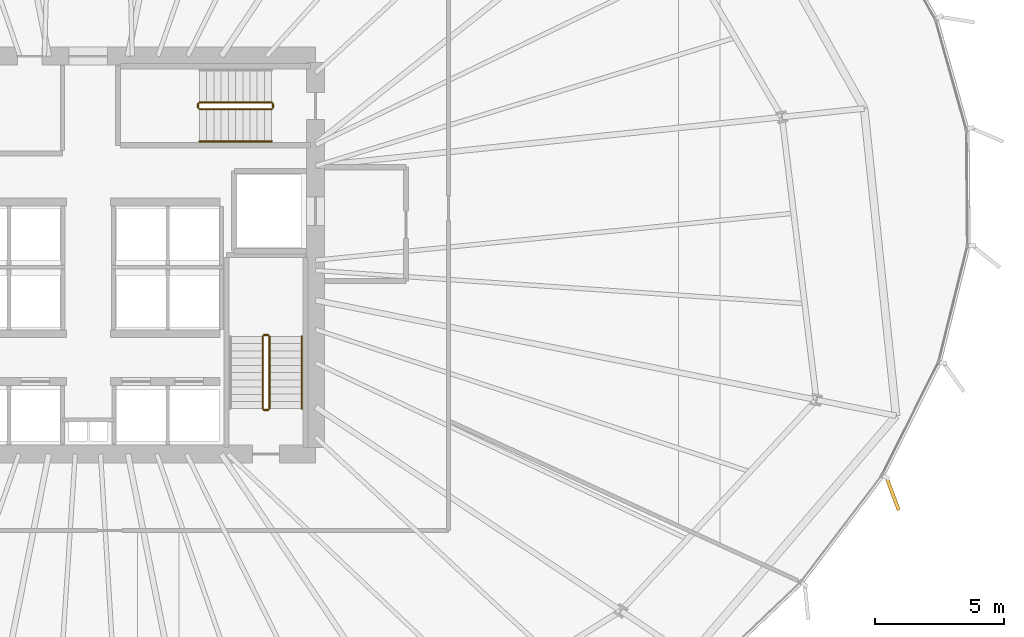
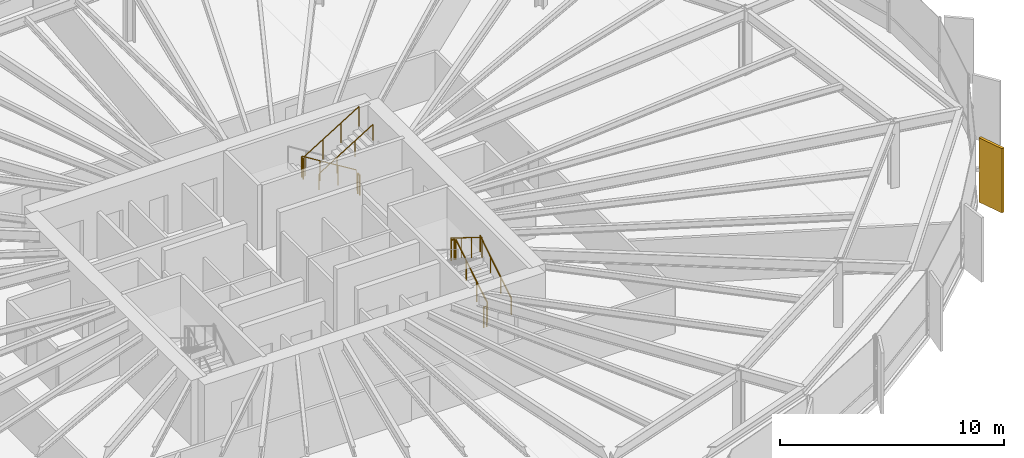
# One storey, part 37 of 38: 10 railings, 1 covering.
"""IFC4 building model written with IfcOpenShell, lengths in metres."""

from ifc_helpers import new_model, si_unit, direction, frame, origin, origin_2d, place, context, subcontext, project, spatial, rectangle, circle, extrude, source, transform, mapped, material, layer, layer_set, type_object, element, save


model = new_model("IFC4")

# Units and contexts
model_context = context("Model", 3, precision=1e-05, world=origin(), true_north=direction((0.0, 1.0)))
body_context = subcontext(model_context, "Body", "Model", "MODEL_VIEW")
ifc_project = project(units=[si_unit("LENGTHUNIT", "METRE"), si_unit("AREAUNIT", "SQUARE_METRE"), si_unit("VOLUMEUNIT", "CUBIC_METRE"), si_unit("PLANEANGLEUNIT", "RADIAN"), si_unit("MASSUNIT", "GRAM", prefix="KILO"), si_unit("THERMODYNAMICTEMPERATUREUNIT", "KELVIN")], contexts=[model_context])

# Site, building, storey
site_placement = place(None, origin())
site = spatial("IfcSite", under=ifc_project, at=site_placement, CompositionType="ELEMENT")
building_placement = place(site_placement, origin())
building = spatial("IfcBuilding", under=site, at=building_placement, Name="Kethvar Cultural Tower", CompositionType="ELEMENT")
storey_placement = place(building_placement, frame((0.0, 0.0, 63.800048828125)))
storey = spatial("IfcBuildingStorey", under=building, at=storey_placement, Name="L15", CompositionType="ELEMENT", Elevation=63.800048828125)

# Railings
ifc_material_1 = material(Name="Steel S355J2", Category="steel")
railing_type_1 = type_object("IfcRailingType", Name="RL-STAIR-GUARD", PredefinedType="BALUSTRADE", material=ifc_material_1)
railing_1_placement = place(storey_placement, frame((53.81005859375, 21.85009765625, 0.172607421875)))
element("IfcRailing", 1, at=railing_1_placement, inside=storey, type_object=railing_type_1, Name="L15 ST-02 stair guard 1", PredefinedType="BALUSTRADE", context=body_context, shape_type="SweptSolid", body=[
    extrude(circle(Radius=0.02392578125, at=origin_2d()), frame((0.0, 0.0, 1.09619140625), z_axis=(0.0, 0.851069175582, 0.525053576669), x_axis=(-1.0, 0.0, 0.0)), (0.0, 0.0, 1.0), 3.289794921875),
    extrude(circle(Radius=0.02099609375, at=origin_2d()), origin(), (0.0, 0.0, 1.0), 1.072021484375),
    extrude(circle(Radius=0.02099609375, at=origin_2d()), frame((0.0, 0.933349609375, 0.57568359375)), (0.0, 0.0, 1.0), 1.072021484375),
    extrude(circle(Radius=0.02099609375, at=origin_2d()), frame((0.0, 1.866455078125, 1.151611328125)), (0.0, 0.0, 1.0), 1.072021484375),
    extrude(circle(Radius=0.02099609375, at=origin_2d()), frame((0.0, 2.7998046875, 1.727294921875)), (0.0, 0.0, 1.0), 1.072021484375),
])
railing_2_placement = place(storey_placement, frame((53.760009765625, 24.699951171875, 1.89990234375)))
element("IfcRailing", 2, at=railing_2_placement, inside=storey, type_object=railing_type_1, Name="L15 ST-02 stair guard 2", PredefinedType="BALUSTRADE", context=body_context, shape_type="SweptSolid", body=[
    extrude(circle(Radius=0.02392578125, at=origin_2d()), frame((0.0, 0.0, 1.09619140625), z_axis=(-1.0, 0.0, 0.0), x_axis=(0.0, -1.0, 0.0)), (0.0, 0.0, 1.0), 0.159912109375),
    extrude(circle(Radius=0.02099609375, at=origin_2d()), origin(), (0.0, 0.0, 1.0), 1.072021484375),
    extrude(circle(Radius=0.02099609375, at=origin_2d()), frame((-0.159912109375, 0.0, 0.0)), (0.0, 0.0, 1.0), 1.072021484375),
])
railing_3_placement = place(storey_placement, frame((53.550048828125, 24.64990234375, 2.07275390625)))
element("IfcRailing", 3, at=railing_3_placement, inside=storey, type_object=railing_type_1, Name="L15 ST-02 stair guard 3", PredefinedType="BALUSTRADE", context=body_context, shape_type="SweptSolid", body=[
    extrude(circle(Radius=0.02392578125, at=origin_2d()), frame((0.0, 0.0, 1.09619140625), z_axis=(0.0, -0.851069175582, 0.525053576669), x_axis=(1.0, 0.0, 0.0)), (0.0, 0.0, 1.0), 3.289794921875),
    extrude(circle(Radius=0.02099609375, at=origin_2d()), origin(), (0.0, 0.0, 1.0), 1.072021484375),
    extrude(circle(Radius=0.02099609375, at=origin_2d()), frame((0.0, -0.933349609375, 0.57568359375)), (0.0, 0.0, 1.0), 1.072021484375),
    extrude(circle(Radius=0.02099609375, at=origin_2d()), frame((0.0, -1.866455078125, 1.151611328125)), (0.0, 0.0, 1.0), 1.072021484375),
    extrude(circle(Radius=0.02099609375, at=origin_2d()), frame((0.0, -2.7998046875, 1.727294921875)), (0.0, 0.0, 1.0), 1.072021484375),
])
railing_4_placement = place(storey_placement, frame((53.760009765625, 21.800048828125, 0.0)))
element("IfcRailing", 4, at=railing_4_placement, inside=storey, type_object=railing_type_1, Name="L15 ST-02 stair guard 4", PredefinedType="BALUSTRADE", context=body_context, shape_type="SweptSolid", body=[
    extrude(circle(Radius=0.02392578125, at=origin_2d()), frame((0.0, 0.0, 1.09619140625), z_axis=(-1.0, 0.0, 0.0), x_axis=(0.0, -1.0, 0.0)), (0.0, 0.0, 1.0), 0.159912109375),
    extrude(circle(Radius=0.02099609375, at=origin_2d()), origin(), (0.0, 0.0, 1.0), 1.072021484375),
    extrude(circle(Radius=0.02099609375, at=origin_2d()), frame((-0.159912109375, 0.0, 0.0)), (0.0, 0.0, 1.0), 1.072021484375),
])
railing_5_placement = place(storey_placement, frame((53.89990234375, 33.7099609375, 0.172607421875)))
element("IfcRailing", 5, at=railing_5_placement, inside=storey, type_object=railing_type_1, Name="L15 ST-03 stair guard 1", PredefinedType="BALUSTRADE", context=body_context, shape_type="SweptSolid", body=[
    extrude(circle(Radius=0.02392578125, at=origin_2d()), frame((0.0, 0.0, 1.09619140625), z_axis=(-0.851069175582, 0.0, 0.525053576669), x_axis=(0.0, -1.0, 0.0)), (0.0, 0.0, 1.0), 3.289794921875),
    extrude(circle(Radius=0.02099609375, at=origin_2d()), origin(), (0.0, 0.0, 1.0), 1.072021484375),
    extrude(circle(Radius=0.02099609375, at=origin_2d()), frame((-0.933349609375, 0.0, 0.57568359375)), (0.0, 0.0, 1.0), 1.072021484375),
    extrude(circle(Radius=0.02099609375, at=origin_2d()), frame((-1.866455078125, 0.0, 1.151611328125)), (0.0, 0.0, 1.0), 1.072021484375),
    extrude(circle(Radius=0.02099609375, at=origin_2d()), frame((-2.7998046875, 0.0, 1.727294921875)), (0.0, 0.0, 1.0), 1.072021484375),
])
railing_6_placement = place(storey_placement, frame((51.050048828125, 33.659912109375, 1.89990234375)))
element("IfcRailing", 6, at=railing_6_placement, inside=storey, type_object=railing_type_1, Name="L15 ST-03 stair guard 2", PredefinedType="BALUSTRADE", context=body_context, shape_type="SweptSolid", body=[
    extrude(circle(Radius=0.02392578125, at=origin_2d()), frame((0.0, 0.0, 1.09619140625), z_axis=(0.0, -1.0, 0.0), x_axis=(1.0, 0.0, 0.0)), (0.0, 0.0, 1.0), 0.159912109375),
    extrude(circle(Radius=0.02099609375, at=origin_2d()), origin(), (0.0, 0.0, 1.0), 1.072021484375),
    extrude(circle(Radius=0.02099609375, at=origin_2d()), frame((0.0, -0.159912109375, 0.0)), (0.0, 0.0, 1.0), 1.072021484375),
])
railing_7_placement = place(storey_placement, frame((51.10009765625, 33.449951171875, 2.07275390625)))
element("IfcRailing", 7, at=railing_7_placement, inside=storey, type_object=railing_type_1, Name="L15 ST-03 stair guard 3", PredefinedType="BALUSTRADE", context=body_context, shape_type="SweptSolid", body=[
    extrude(circle(Radius=0.02392578125, at=origin_2d()), frame((0.0, 0.0, 1.09619140625), z_axis=(0.851069175582, 0.0, 0.525053576669), x_axis=(0.0, 1.0, 0.0)), (0.0, 0.0, 1.0), 3.289794921875),
    extrude(circle(Radius=0.02099609375, at=origin_2d()), origin(), (0.0, 0.0, 1.0), 1.072021484375),
    extrude(circle(Radius=0.02099609375, at=origin_2d()), frame((0.933349609375, 0.0, 0.57568359375)), (0.0, 0.0, 1.0), 1.072021484375),
    extrude(circle(Radius=0.02099609375, at=origin_2d()), frame((1.866455078125, 0.0, 1.151611328125)), (0.0, 0.0, 1.0), 1.072021484375),
    extrude(circle(Radius=0.02099609375, at=origin_2d()), frame((2.7998046875, 0.0, 1.727294921875)), (0.0, 0.0, 1.0), 1.072021484375),
])
railing_8_placement = place(storey_placement, frame((53.949951171875, 33.659912109375, 0.0)))
element("IfcRailing", 8, at=railing_8_placement, inside=storey, type_object=railing_type_1, Name="L15 ST-03 stair guard 4", PredefinedType="BALUSTRADE", context=body_context, shape_type="SweptSolid", body=[
    extrude(circle(Radius=0.02392578125, at=origin_2d()), frame((0.0, 0.0, 1.09619140625), z_axis=(0.0, -1.0, 0.0), x_axis=(1.0, 0.0, 0.0)), (0.0, 0.0, 1.0), 0.159912109375),
    extrude(circle(Radius=0.02099609375, at=origin_2d()), origin(), (0.0, 0.0, 1.0), 1.072021484375),
    extrude(circle(Radius=0.02099609375, at=origin_2d()), frame((0.0, -0.159912109375, 0.0)), (0.0, 0.0, 1.0), 1.072021484375),
])
railing_type_2 = type_object("IfcRailingType", Name="RL-STAIR-HANDRAIL", PredefinedType="HANDRAIL", material=ifc_material_1)
railing_9_placement = place(storey_placement, frame((55.06005859375, 21.85009765625, 0.172607421875)))
element("IfcRailing", 9, at=railing_9_placement, inside=storey, type_object=railing_type_2, Name="L15 ST-02 stair handrail 1", PredefinedType="HANDRAIL", context=body_context, shape_type="SweptSolid", body=[
    extrude(circle(Radius=0.02392578125, at=origin_2d()), frame((0.0, 0.0, 0.8759765625), z_axis=(0.0, 0.851069175582, 0.525053576669), x_axis=(-1.0, 0.0, 0.0)), (0.0, 0.0, 1.0), 3.289794921875),
    extrude(circle(Radius=0.02099609375, at=origin_2d()), origin(), (0.0, 0.0, 1.0), 0.851806640625),
    extrude(circle(Radius=0.02099609375, at=origin_2d()), frame((0.0, 0.933349609375, 0.57568359375)), (0.0, 0.0, 1.0), 0.851806640625),
    extrude(circle(Radius=0.02099609375, at=origin_2d()), frame((0.0, 1.866455078125, 1.151611328125)), (0.0, 0.0, 1.0), 0.851806640625),
    extrude(circle(Radius=0.02099609375, at=origin_2d()), frame((0.0, 2.7998046875, 1.727294921875)), (0.0, 0.0, 1.0), 0.851806640625),
])
railing_10_placement = place(storey_placement, frame((51.10009765625, 32.199951171875, 2.07275390625)))
element("IfcRailing", 10, at=railing_10_placement, inside=storey, type_object=railing_type_2, Name="L15 ST-03 stair handrail 2", PredefinedType="HANDRAIL", context=body_context, shape_type="SweptSolid", body=[
    extrude(circle(Radius=0.02392578125, at=origin_2d()), frame((0.0, 0.0, 0.8759765625), z_axis=(0.851069175582, 0.0, 0.525053576669), x_axis=(0.0, 1.0, 0.0)), (0.0, 0.0, 1.0), 3.289794921875),
    extrude(circle(Radius=0.02099609375, at=origin_2d()), origin(), (0.0, 0.0, 1.0), 0.851806640625),
    extrude(circle(Radius=0.02099609375, at=origin_2d()), frame((0.933349609375, 0.0, 0.57568359375)), (0.0, 0.0, 1.0), 0.851806640625),
    extrude(circle(Radius=0.02099609375, at=origin_2d()), frame((1.866455078125, 0.0, 1.151611328125)), (0.0, 0.0, 1.0), 0.851806640625),
    extrude(circle(Radius=0.02099609375, at=origin_2d()), frame((2.7998046875, 0.0, 1.727294921875)), (0.0, 0.0, 1.0), 0.851806640625),
])

# Covering
ifc_material_2 = material(Name="Extruded Architectural Terracotta", Category="masonry")
ifc_layer = layer(ifc_material_2, 0.135009765625, Name="Extruded Architectural Terracotta", Category="masonry")
ifc_layer_set = layer_set([ifc_layer], Name="Extruded Architectural Terracotta (135 mm)")
covering_type = type_object("IfcCoveringType", Name="Terracotta Facade Fin FIN-01", PredefinedType="CLADDING", material=ifc_layer_set)
shared_shape = source(origin(), body_context, "Body", "SweptSolid", [
    extrude(rectangle(XDim=1.35009765625, YDim=0.135009765625, at=origin_2d()), origin(), (0.0, 0.0, 1.0), 3.510009765625),
])
covering_placement = place(storey_placement, frame((77.94140625, 18.555419921875, 0.02001953125), z_axis=(0.0, 0.0, 1.0), x_axis=(0.349226308593, -0.937038411905, 0.0)))
element("IfcCovering", 11, at=covering_placement, inside=storey, type_object=covering_type, Name="L15 Vertical Terracotta Fin 6.4", PredefinedType="CLADDING", context=body_context, shape_type="MappedRepresentation", body=[
    mapped(shared_shape, transform((0.0, 0.0, 0.0), scale=1.0)),
])

save(model, "model.ifc")
